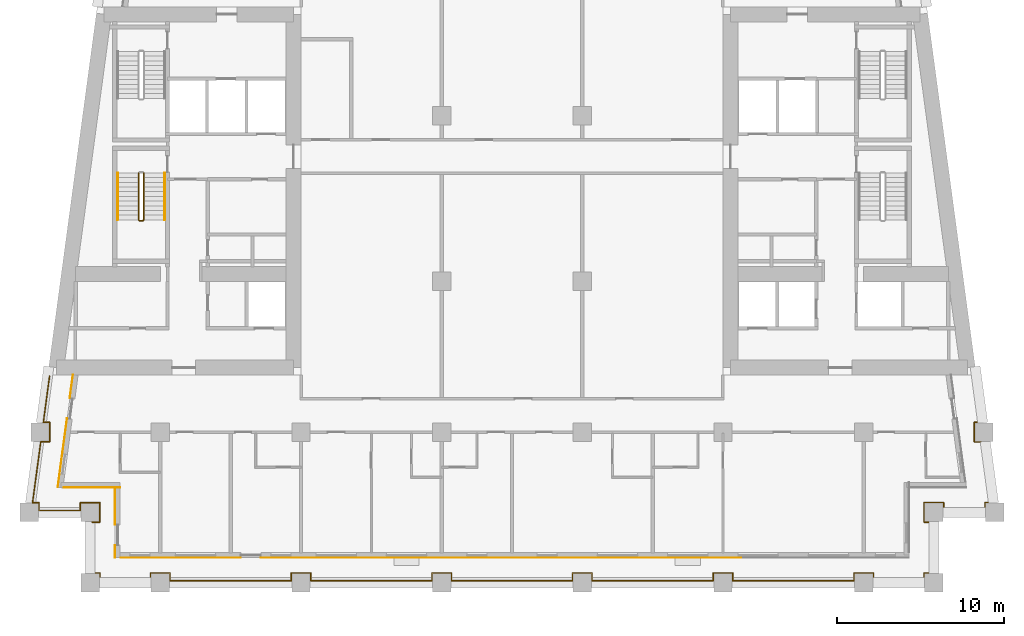
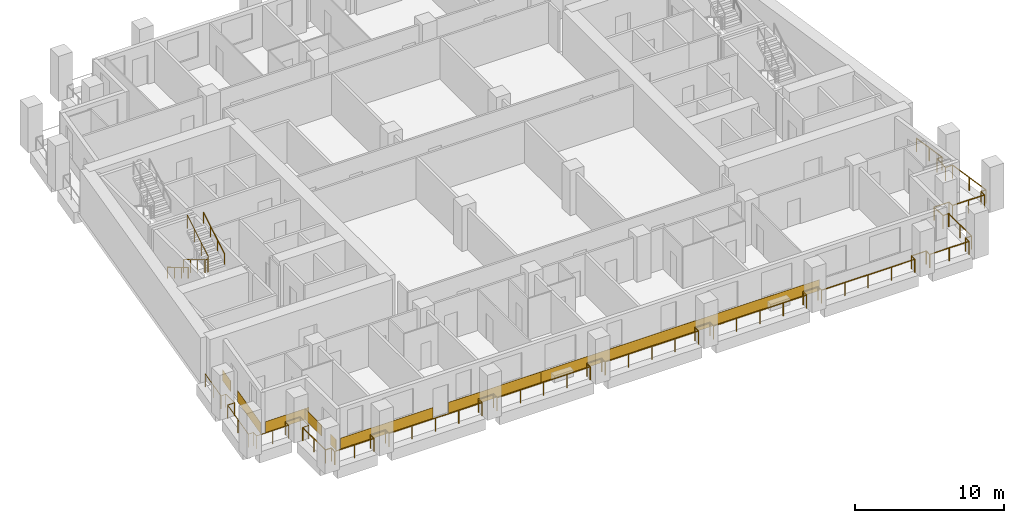
# One storey, part 8 of 12: 8 coverings, 5 railings.
"""IFC4 building model written with IfcOpenShell, lengths in metres."""

from ifc_helpers import new_model, si_unit, direction, frame, origin, origin_2d, place, context, subcontext, project, spatial, rectangle, circle, extrude, material, layer, layer_set, type_object, element, save


model = new_model("IFC4")

# Units and contexts
model_context = context("Model", 3, precision=1e-05, world=origin(), true_north=direction((0.0, 1.0)))
body_context = subcontext(model_context, "Body", "Model", "MODEL_VIEW")
ifc_project = project(units=[si_unit("LENGTHUNIT", "METRE"), si_unit("AREAUNIT", "SQUARE_METRE"), si_unit("VOLUMEUNIT", "CUBIC_METRE"), si_unit("PLANEANGLEUNIT", "RADIAN"), si_unit("MASSUNIT", "GRAM", prefix="KILO")], contexts=[model_context])

# Site, building, storey
site_placement = place(None, origin())
site = spatial("IfcSite", under=ifc_project, at=site_placement, CompositionType="ELEMENT")
building_placement = place(site_placement, origin())
building = spatial("IfcBuilding", under=site, at=building_placement, Name="Candeia Pilgrim Tower and Theatre", CompositionType="ELEMENT")
storey_placement = place(building_placement, frame((0.0, 0.0, 166.300048828125)))
storey = spatial("IfcBuildingStorey", under=building, at=storey_placement, Name="L39", CompositionType="ELEMENT", Elevation=166.300048828125)

# Railings
ifc_material_1 = material(Name="Stainless steel balustrade", Category="steel")
railing_type_1 = type_object("IfcRailingType", Name="G1 loggia guard 1100", PredefinedType="GUARDRAIL", material=ifc_material_1)
railing_1_placement = place(storey_placement, frame((88.320068359375, 101.6201171875, 0.0)))
element("IfcRailing", 1, at=railing_1_placement, inside=storey, type_object=railing_type_1, Name="Guard L39.1", PredefinedType="GUARDRAIL", context=body_context, shape_type="SweptSolid", body=[
    extrude(circle(Radius=0.02392578125, at=origin_2d()), frame((0.0, 0.0, 1.076171875), z_axis=(1.0, 0.0, 0.0), x_axis=(0.0, 1.0, 0.0)), (0.0, 0.0, 1.0), 0.4599609375),
    extrude(circle(Radius=0.02392578125, at=origin_2d()), frame((0.4599609375, 0.0, 1.076171875), z_axis=(0.0, 1.0, 0.0), x_axis=(-1.0, 0.0, 0.0)), (0.0, 0.0, 1.0), 1.159912109375),
    extrude(circle(Radius=0.02392578125, at=origin_2d()), frame((0.4599609375, 1.159912109375, 1.076171875), z_axis=(-1.0, 0.0, 0.0), x_axis=(0.0, -1.0, 0.0)), (0.0, 0.0, 1.0), 1.159912109375),
    extrude(circle(Radius=0.02392578125, at=origin_2d()), frame((-0.699951171875, 1.159912109375, 1.076171875), z_axis=(0.0, -1.0, 0.0), x_axis=(1.0, 0.0, 0.0)), (0.0, 0.0, 1.0), 0.4599609375),
    extrude(circle(Radius=0.02392578125, at=origin_2d()), frame((-0.699951171875, 0.699951171875, 1.076171875), z_axis=(-1.0, 0.0, 0.0), x_axis=(0.0, -1.0, 0.0)), (0.0, 0.0, 1.0), 2.474853515625),
    extrude(circle(Radius=0.02392578125, at=origin_2d()), frame((-3.1748046875, 0.699951171875, 1.076171875), z_axis=(0.0, 1.0, 0.0), x_axis=(-1.0, 0.0, 0.0)), (0.0, 0.0, 1.0), 0.4599609375),
    extrude(circle(Radius=0.02392578125, at=origin_2d()), frame((-3.1748046875, 1.159912109375, 1.076171875), z_axis=(-1.0, 0.0, 0.0), x_axis=(0.0, -1.0, 0.0)), (0.0, 0.0, 1.0), 0.380615234375),
    extrude(circle(Radius=0.02392578125, at=origin_2d()), frame((-3.555419921875, 1.159912109375, 1.076171875), z_axis=(0.133413267734, 0.9910604926, 0.0), x_axis=(-0.9910604926, 0.133413267734, 0.0)), (0.0, 0.0, 1.0), 3.672607421875),
    extrude(circle(Radius=0.02392578125, at=origin_2d()), frame((-3.0654296875, 4.7998046875, 1.076171875), z_axis=(1.0, 0.0, 0.0), x_axis=(0.0, 1.0, 0.0)), (0.0, 0.0, 1.0), 0.536865234375),
    extrude(circle(Radius=0.02392578125, at=origin_2d()), frame((-2.528564453125, 4.7998046875, 1.076171875), z_axis=(0.0, 1.0, 0.0), x_axis=(-1.0, 0.0, 0.0)), (0.0, 0.0, 1.0), 1.16015625),
    extrude(circle(Radius=0.02392578125, at=origin_2d()), frame((-2.528564453125, 5.9599609375, 1.076171875), z_axis=(-1.0, 0.0, 0.0), x_axis=(0.0, -1.0, 0.0)), (0.0, 0.0, 1.0), 0.380859375),
    extrude(circle(Radius=0.02392578125, at=origin_2d()), frame((-2.909423828125, 5.9599609375, 1.076171875), z_axis=(0.133468107709, 0.99105310868, 0.0), x_axis=(-0.99105310868, 0.133468107709, 0.0)), (0.0, 0.0, 1.0), 2.794921875),
    extrude(circle(Radius=0.02099609375, at=origin_2d()), origin(), (0.0, 0.0, 1.0), 1.052001953125),
    extrude(circle(Radius=0.02099609375, at=origin_2d()), frame((0.4599609375, 0.0, 0.0)), (0.0, 0.0, 1.0), 1.052001953125),
    extrude(circle(Radius=0.02099609375, at=origin_2d()), frame((0.4599609375, 1.159912109375, 0.0)), (0.0, 0.0, 1.0), 1.052001953125),
    extrude(circle(Radius=0.02099609375, at=origin_2d()), frame((-0.699951171875, 1.159912109375, 0.0)), (0.0, 0.0, 1.0), 1.052001953125),
    extrude(circle(Radius=0.02099609375, at=origin_2d()), frame((-0.699951171875, 0.699951171875, 0.0)), (0.0, 0.0, 1.0), 1.052001953125),
    extrude(circle(Radius=0.02099609375, at=origin_2d()), frame((-1.9375, 0.699951171875, 0.0)), (0.0, 0.0, 1.0), 1.052001953125),
    extrude(circle(Radius=0.02099609375, at=origin_2d()), frame((-3.1748046875, 0.699951171875, 0.0)), (0.0, 0.0, 1.0), 1.052001953125),
    extrude(circle(Radius=0.02099609375, at=origin_2d()), frame((-3.1748046875, 1.159912109375, 0.0)), (0.0, 0.0, 1.0), 1.052001953125),
    extrude(circle(Radius=0.02099609375, at=origin_2d()), frame((-3.555419921875, 1.159912109375, 0.0)), (0.0, 0.0, 1.0), 1.052001953125),
    extrude(circle(Radius=0.02099609375, at=origin_2d()), frame((-3.310546875, 2.97998046875, 0.0)), (0.0, 0.0, 1.0), 1.052001953125),
    extrude(circle(Radius=0.02099609375, at=origin_2d()), frame((-3.0654296875, 4.7998046875, 0.0)), (0.0, 0.0, 1.0), 1.052001953125),
    extrude(circle(Radius=0.02099609375, at=origin_2d()), frame((-2.528564453125, 4.7998046875, 0.0)), (0.0, 0.0, 1.0), 1.052001953125),
    extrude(circle(Radius=0.02099609375, at=origin_2d()), frame((-2.528564453125, 5.9599609375, 0.0)), (0.0, 0.0, 1.0), 1.052001953125),
    extrude(circle(Radius=0.02099609375, at=origin_2d()), frame((-2.909423828125, 5.9599609375, 0.0)), (0.0, 0.0, 1.0), 1.052001953125),
    extrude(circle(Radius=0.02099609375, at=origin_2d()), frame((-2.722900390625, 7.344970703125, 0.0)), (0.0, 0.0, 1.0), 1.052001953125),
    extrude(circle(Radius=0.02099609375, at=origin_2d()), frame((-2.536376953125, 8.72998046875, 0.0)), (0.0, 0.0, 1.0), 1.052001953125),
])
railing_2_placement = place(storey_placement, frame((141.016357421875, 110.35009765625, 0.0)))
element("IfcRailing", 2, at=railing_2_placement, inside=storey, type_object=railing_type_1, Name="Guard L39.4", PredefinedType="GUARDRAIL", context=body_context, shape_type="SweptSolid", body=[
    extrude(circle(Radius=0.02392578125, at=origin_2d()), frame((0.0, 0.0, 1.076171875), z_axis=(0.133468107709, -0.99105310868, 0.0), x_axis=(0.99105310868, 0.133468107709, 0.0)), (0.0, 0.0, 1.0), 2.794921875),
    extrude(circle(Radius=0.02392578125, at=origin_2d()), frame((0.373046875, -2.77001953125, 1.076171875), z_axis=(-1.0, 0.0, 0.0), x_axis=(0.0, -1.0, 0.0)), (0.0, 0.0, 1.0), 0.380859375),
    extrude(circle(Radius=0.02392578125, at=origin_2d()), frame((-0.0078125, -2.77001953125, 1.076171875), z_axis=(0.0, -1.0, 0.0), x_axis=(1.0, 0.0, 0.0)), (0.0, 0.0, 1.0), 1.16015625),
    extrude(circle(Radius=0.02392578125, at=origin_2d()), frame((-0.0078125, -3.93017578125, 1.076171875), z_axis=(1.0, 0.0, 0.0), x_axis=(0.0, 1.0, 0.0)), (0.0, 0.0, 1.0), 0.536865234375),
    extrude(circle(Radius=0.02392578125, at=origin_2d()), frame((0.529052734375, -3.93017578125, 1.076171875), z_axis=(0.133413267734, -0.9910604926, 0.0), x_axis=(0.9910604926, 0.133413267734, 0.0)), (0.0, 0.0, 1.0), 3.672607421875),
    extrude(circle(Radius=0.02392578125, at=origin_2d()), frame((1.01904296875, -7.570068359375, 1.076171875), z_axis=(-1.0, 0.0, 0.0), x_axis=(0.0, -1.0, 0.0)), (0.0, 0.0, 1.0), 0.380859375),
    extrude(circle(Radius=0.02392578125, at=origin_2d()), frame((0.63818359375, -7.570068359375, 1.076171875), z_axis=(0.0, -1.0, 0.0), x_axis=(1.0, 0.0, 0.0)), (0.0, 0.0, 1.0), 0.4599609375),
    extrude(circle(Radius=0.02392578125, at=origin_2d()), frame((0.63818359375, -8.030029296875, 1.076171875), z_axis=(-1.0, 0.0, 0.0), x_axis=(0.0, -1.0, 0.0)), (0.0, 0.0, 1.0), 2.474609375),
    extrude(circle(Radius=0.02392578125, at=origin_2d()), frame((-1.83642578125, -8.030029296875, 1.076171875), z_axis=(0.0, 1.0, 0.0), x_axis=(-1.0, 0.0, 0.0)), (0.0, 0.0, 1.0), 0.4599609375),
    extrude(circle(Radius=0.02392578125, at=origin_2d()), frame((-1.83642578125, -7.570068359375, 1.076171875), z_axis=(-1.0, 0.0, 0.0), x_axis=(0.0, -1.0, 0.0)), (0.0, 0.0, 1.0), 1.159912109375),
    extrude(circle(Radius=0.02392578125, at=origin_2d()), frame((-2.996337890625, -7.570068359375, 1.076171875), z_axis=(0.0, -1.0, 0.0), x_axis=(1.0, 0.0, 0.0)), (0.0, 0.0, 1.0), 1.159912109375),
    extrude(circle(Radius=0.02392578125, at=origin_2d()), frame((-2.996337890625, -8.72998046875, 1.076171875), z_axis=(1.0, 0.0, 0.0), x_axis=(0.0, 1.0, 0.0)), (0.0, 0.0, 1.0), 0.4599609375),
    extrude(circle(Radius=0.02392578125, at=origin_2d()), frame((-2.536376953125, -8.72998046875, 1.076171875), z_axis=(0.0, -1.0, 0.0), x_axis=(1.0, 0.0, 0.0)), (0.0, 0.0, 1.0), 3.0400390625),
    extrude(circle(Radius=0.02392578125, at=origin_2d()), frame((-2.536376953125, -11.77001953125, 1.076171875), z_axis=(-1.0, 0.0, 0.0), x_axis=(0.0, -1.0, 0.0)), (0.0, 0.0, 1.0), 0.4599609375),
    extrude(circle(Radius=0.02392578125, at=origin_2d()), frame((-2.996337890625, -11.77001953125, 1.076171875), z_axis=(0.0, -1.0, 0.0), x_axis=(1.0, 0.0, 0.0)), (0.0, 0.0, 1.0), 0.4599609375),
    extrude(circle(Radius=0.02392578125, at=origin_2d()), frame((-2.996337890625, -12.22998046875, 1.076171875), z_axis=(-1.0, 0.0, 0.0), x_axis=(0.0, -1.0, 0.0)), (0.0, 0.0, 1.0), 3.0400390625),
    extrude(circle(Radius=0.02392578125, at=origin_2d()), frame((-6.036376953125, -12.22998046875, 1.076171875), z_axis=(0.0, 1.0, 0.0), x_axis=(-1.0, 0.0, 0.0)), (0.0, 0.0, 1.0), 0.4599609375),
    extrude(circle(Radius=0.02392578125, at=origin_2d()), frame((-6.036376953125, -11.77001953125, 1.076171875), z_axis=(-1.0, 0.0, 0.0), x_axis=(0.0, -1.0, 0.0)), (0.0, 0.0, 1.0), 1.159912109375),
    extrude(circle(Radius=0.02392578125, at=origin_2d()), frame((-7.1962890625, -11.77001953125, 1.076171875), z_axis=(0.0, -1.0, 0.0), x_axis=(1.0, 0.0, 0.0)), (0.0, 0.0, 1.0), 0.4599609375),
    extrude(circle(Radius=0.02392578125, at=origin_2d()), frame((-7.1962890625, -12.22998046875, 1.076171875), z_axis=(-1.0, 0.0, 0.0), x_axis=(0.0, -1.0, 0.0)), (0.0, 0.0, 1.0), 7.239990234375),
    extrude(circle(Radius=0.02392578125, at=origin_2d()), frame((-14.436279296875, -12.22998046875, 1.076171875), z_axis=(0.0, 1.0, 0.0), x_axis=(-1.0, 0.0, 0.0)), (0.0, 0.0, 1.0), 0.4599609375),
    extrude(circle(Radius=0.02392578125, at=origin_2d()), frame((-14.436279296875, -11.77001953125, 1.076171875), z_axis=(-1.0, 0.0, 0.0), x_axis=(0.0, -1.0, 0.0)), (0.0, 0.0, 1.0), 1.16015625),
    extrude(circle(Radius=0.02392578125, at=origin_2d()), frame((-15.596435546875, -11.77001953125, 1.076171875), z_axis=(0.0, -1.0, 0.0), x_axis=(1.0, 0.0, 0.0)), (0.0, 0.0, 1.0), 0.4599609375),
    extrude(circle(Radius=0.02392578125, at=origin_2d()), frame((-15.596435546875, -12.22998046875, 1.076171875), z_axis=(-1.0, 0.0, 0.0), x_axis=(0.0, -1.0, 0.0)), (0.0, 0.0, 1.0), 7.239990234375),
    extrude(circle(Radius=0.02392578125, at=origin_2d()), frame((-22.83642578125, -12.22998046875, 1.076171875), z_axis=(0.0, 1.0, 0.0), x_axis=(-1.0, 0.0, 0.0)), (0.0, 0.0, 1.0), 0.4599609375),
    extrude(circle(Radius=0.02392578125, at=origin_2d()), frame((-22.83642578125, -11.77001953125, 1.076171875), z_axis=(-1.0, 0.0, 0.0), x_axis=(0.0, -1.0, 0.0)), (0.0, 0.0, 1.0), 1.159912109375),
    extrude(circle(Radius=0.02392578125, at=origin_2d()), frame((-23.996337890625, -11.77001953125, 1.076171875), z_axis=(0.0, -1.0, 0.0), x_axis=(1.0, 0.0, 0.0)), (0.0, 0.0, 1.0), 0.4599609375),
    extrude(circle(Radius=0.02392578125, at=origin_2d()), frame((-23.996337890625, -12.22998046875, 1.076171875), z_axis=(-1.0, 0.0, 0.0), x_axis=(0.0, -1.0, 0.0)), (0.0, 0.0, 1.0), 7.239990234375),
    extrude(circle(Radius=0.02392578125, at=origin_2d()), frame((-31.236328125, -12.22998046875, 1.076171875), z_axis=(0.0, 1.0, 0.0), x_axis=(-1.0, 0.0, 0.0)), (0.0, 0.0, 1.0), 0.4599609375),
    extrude(circle(Radius=0.02392578125, at=origin_2d()), frame((-31.236328125, -11.77001953125, 1.076171875), z_axis=(-1.0, 0.0, 0.0), x_axis=(0.0, -1.0, 0.0)), (0.0, 0.0, 1.0), 1.159912109375),
    extrude(circle(Radius=0.02392578125, at=origin_2d()), frame((-32.396240234375, -11.77001953125, 1.076171875), z_axis=(0.0, -1.0, 0.0), x_axis=(1.0, 0.0, 0.0)), (0.0, 0.0, 1.0), 0.4599609375),
    extrude(circle(Radius=0.02392578125, at=origin_2d()), frame((-32.396240234375, -12.22998046875, 1.076171875), z_axis=(-1.0, 0.0, 0.0), x_axis=(0.0, -1.0, 0.0)), (0.0, 0.0, 1.0), 7.240234375),
    extrude(circle(Radius=0.02392578125, at=origin_2d()), frame((-39.636474609375, -12.22998046875, 1.076171875), z_axis=(0.0, 1.0, 0.0), x_axis=(-1.0, 0.0, 0.0)), (0.0, 0.0, 1.0), 0.4599609375),
    extrude(circle(Radius=0.02392578125, at=origin_2d()), frame((-39.636474609375, -11.77001953125, 1.076171875), z_axis=(-1.0, 0.0, 0.0), x_axis=(0.0, -1.0, 0.0)), (0.0, 0.0, 1.0), 1.159912109375),
    extrude(circle(Radius=0.02392578125, at=origin_2d()), frame((-40.79638671875, -11.77001953125, 1.076171875), z_axis=(0.0, -1.0, 0.0), x_axis=(1.0, 0.0, 0.0)), (0.0, 0.0, 1.0), 0.4599609375),
    extrude(circle(Radius=0.02392578125, at=origin_2d()), frame((-40.79638671875, -12.22998046875, 1.076171875), z_axis=(-1.0, 0.0, 0.0), x_axis=(0.0, -1.0, 0.0)), (0.0, 0.0, 1.0), 7.239990234375),
    extrude(circle(Radius=0.02392578125, at=origin_2d()), frame((-48.036376953125, -12.22998046875, 1.076171875), z_axis=(0.0, 1.0, 0.0), x_axis=(-1.0, 0.0, 0.0)), (0.0, 0.0, 1.0), 0.4599609375),
    extrude(circle(Radius=0.02392578125, at=origin_2d()), frame((-48.036376953125, -11.77001953125, 1.076171875), z_axis=(-1.0, 0.0, 0.0), x_axis=(0.0, -1.0, 0.0)), (0.0, 0.0, 1.0), 1.159912109375),
    extrude(circle(Radius=0.02392578125, at=origin_2d()), frame((-49.1962890625, -11.77001953125, 1.076171875), z_axis=(0.0, -1.0, 0.0), x_axis=(1.0, 0.0, 0.0)), (0.0, 0.0, 1.0), 0.4599609375),
    extrude(circle(Radius=0.02392578125, at=origin_2d()), frame((-49.1962890625, -12.22998046875, 1.076171875), z_axis=(-1.0, 0.0, 0.0), x_axis=(0.0, -1.0, 0.0)), (0.0, 0.0, 1.0), 3.0400390625),
    extrude(circle(Radius=0.02392578125, at=origin_2d()), frame((-52.236328125, -12.22998046875, 1.076171875), z_axis=(0.0, 1.0, 0.0), x_axis=(-1.0, 0.0, 0.0)), (0.0, 0.0, 1.0), 0.4599609375),
    extrude(circle(Radius=0.02392578125, at=origin_2d()), frame((-52.236328125, -11.77001953125, 1.076171875), z_axis=(-1.0, 0.0, 0.0), x_axis=(0.0, -1.0, 0.0)), (0.0, 0.0, 1.0), 0.4599609375),
    extrude(circle(Radius=0.02392578125, at=origin_2d()), frame((-52.6962890625, -11.77001953125, 1.076171875), z_axis=(0.0, 1.0, 0.0), x_axis=(-1.0, 0.0, 0.0)), (0.0, 0.0, 1.0), 3.0400390625),
    extrude(circle(Radius=0.02099609375, at=origin_2d()), origin(), (0.0, 0.0, 1.0), 1.052001953125),
    extrude(circle(Radius=0.02099609375, at=origin_2d()), frame((0.1865234375, -1.385009765625, 0.0)), (0.0, 0.0, 1.0), 1.052001953125),
    extrude(circle(Radius=0.02099609375, at=origin_2d()), frame((0.373046875, -2.77001953125, 0.0)), (0.0, 0.0, 1.0), 1.052001953125),
    extrude(circle(Radius=0.02099609375, at=origin_2d()), frame((-0.0078125, -2.77001953125, 0.0)), (0.0, 0.0, 1.0), 1.052001953125),
    extrude(circle(Radius=0.02099609375, at=origin_2d()), frame((-0.0078125, -3.93017578125, 0.0)), (0.0, 0.0, 1.0), 1.052001953125),
    extrude(circle(Radius=0.02099609375, at=origin_2d()), frame((0.529052734375, -3.93017578125, 0.0)), (0.0, 0.0, 1.0), 1.052001953125),
    extrude(circle(Radius=0.02099609375, at=origin_2d()), frame((0.77392578125, -5.75, 0.0)), (0.0, 0.0, 1.0), 1.052001953125),
    extrude(circle(Radius=0.02099609375, at=origin_2d()), frame((1.01904296875, -7.570068359375, 0.0)), (0.0, 0.0, 1.0), 1.052001953125),
    extrude(circle(Radius=0.02099609375, at=origin_2d()), frame((0.63818359375, -7.570068359375, 0.0)), (0.0, 0.0, 1.0), 1.052001953125),
    extrude(circle(Radius=0.02099609375, at=origin_2d()), frame((0.63818359375, -8.030029296875, 0.0)), (0.0, 0.0, 1.0), 1.052001953125),
    extrude(circle(Radius=0.02099609375, at=origin_2d()), frame((-0.59912109375, -8.030029296875, 0.0)), (0.0, 0.0, 1.0), 1.052001953125),
    extrude(circle(Radius=0.02099609375, at=origin_2d()), frame((-1.83642578125, -8.030029296875, 0.0)), (0.0, 0.0, 1.0), 1.052001953125),
    extrude(circle(Radius=0.02099609375, at=origin_2d()), frame((-1.83642578125, -7.570068359375, 0.0)), (0.0, 0.0, 1.0), 1.052001953125),
    extrude(circle(Radius=0.02099609375, at=origin_2d()), frame((-2.996337890625, -7.570068359375, 0.0)), (0.0, 0.0, 1.0), 1.052001953125),
    extrude(circle(Radius=0.02099609375, at=origin_2d()), frame((-2.996337890625, -8.72998046875, 0.0)), (0.0, 0.0, 1.0), 1.052001953125),
    extrude(circle(Radius=0.02099609375, at=origin_2d()), frame((-2.536376953125, -8.72998046875, 0.0)), (0.0, 0.0, 1.0), 1.052001953125),
    extrude(circle(Radius=0.02099609375, at=origin_2d()), frame((-2.536376953125, -10.25, 0.0)), (0.0, 0.0, 1.0), 1.052001953125),
    extrude(circle(Radius=0.02099609375, at=origin_2d()), frame((-2.536376953125, -11.77001953125, 0.0)), (0.0, 0.0, 1.0), 1.052001953125),
    extrude(circle(Radius=0.02099609375, at=origin_2d()), frame((-2.996337890625, -11.77001953125, 0.0)), (0.0, 0.0, 1.0), 1.052001953125),
    extrude(circle(Radius=0.02099609375, at=origin_2d()), frame((-2.996337890625, -12.22998046875, 0.0)), (0.0, 0.0, 1.0), 1.052001953125),
    extrude(circle(Radius=0.02099609375, at=origin_2d()), frame((-4.516357421875, -12.22998046875, 0.0)), (0.0, 0.0, 1.0), 1.052001953125),
    extrude(circle(Radius=0.02099609375, at=origin_2d()), frame((-6.036376953125, -12.22998046875, 0.0)), (0.0, 0.0, 1.0), 1.052001953125),
    extrude(circle(Radius=0.02099609375, at=origin_2d()), frame((-6.036376953125, -11.77001953125, 0.0)), (0.0, 0.0, 1.0), 1.052001953125),
    extrude(circle(Radius=0.02099609375, at=origin_2d()), frame((-7.1962890625, -11.77001953125, 0.0)), (0.0, 0.0, 1.0), 1.052001953125),
    extrude(circle(Radius=0.02099609375, at=origin_2d()), frame((-7.1962890625, -12.22998046875, 0.0)), (0.0, 0.0, 1.0), 1.052001953125),
    extrude(circle(Radius=0.02099609375, at=origin_2d()), frame((-9.00634765625, -12.22998046875, 0.0)), (0.0, 0.0, 1.0), 1.052001953125),
    extrude(circle(Radius=0.02099609375, at=origin_2d()), frame((-10.81640625, -12.22998046875, 0.0)), (0.0, 0.0, 1.0), 1.052001953125),
    extrude(circle(Radius=0.02099609375, at=origin_2d()), frame((-12.626220703125, -12.22998046875, 0.0)), (0.0, 0.0, 1.0), 1.052001953125),
    extrude(circle(Radius=0.02099609375, at=origin_2d()), frame((-14.436279296875, -12.22998046875, 0.0)), (0.0, 0.0, 1.0), 1.052001953125),
    extrude(circle(Radius=0.02099609375, at=origin_2d()), frame((-14.436279296875, -11.77001953125, 0.0)), (0.0, 0.0, 1.0), 1.052001953125),
    extrude(circle(Radius=0.02099609375, at=origin_2d()), frame((-15.596435546875, -11.77001953125, 0.0)), (0.0, 0.0, 1.0), 1.052001953125),
    extrude(circle(Radius=0.02099609375, at=origin_2d()), frame((-15.596435546875, -12.22998046875, 0.0)), (0.0, 0.0, 1.0), 1.052001953125),
    extrude(circle(Radius=0.02099609375, at=origin_2d()), frame((-17.406494140625, -12.22998046875, 0.0)), (0.0, 0.0, 1.0), 1.052001953125),
    extrude(circle(Radius=0.02099609375, at=origin_2d()), frame((-19.21630859375, -12.22998046875, 0.0)), (0.0, 0.0, 1.0), 1.052001953125),
    extrude(circle(Radius=0.02099609375, at=origin_2d()), frame((-21.0263671875, -12.22998046875, 0.0)), (0.0, 0.0, 1.0), 1.052001953125),
    extrude(circle(Radius=0.02099609375, at=origin_2d()), frame((-22.83642578125, -12.22998046875, 0.0)), (0.0, 0.0, 1.0), 1.052001953125),
    extrude(circle(Radius=0.02099609375, at=origin_2d()), frame((-22.83642578125, -11.77001953125, 0.0)), (0.0, 0.0, 1.0), 1.052001953125),
    extrude(circle(Radius=0.02099609375, at=origin_2d()), frame((-23.996337890625, -11.77001953125, 0.0)), (0.0, 0.0, 1.0), 1.052001953125),
    extrude(circle(Radius=0.02099609375, at=origin_2d()), frame((-23.996337890625, -12.22998046875, 0.0)), (0.0, 0.0, 1.0), 1.052001953125),
    extrude(circle(Radius=0.02099609375, at=origin_2d()), frame((-25.806396484375, -12.22998046875, 0.0)), (0.0, 0.0, 1.0), 1.052001953125),
    extrude(circle(Radius=0.02099609375, at=origin_2d()), frame((-27.6162109375, -12.22998046875, 0.0)), (0.0, 0.0, 1.0), 1.052001953125),
    extrude(circle(Radius=0.02099609375, at=origin_2d()), frame((-29.42626953125, -12.22998046875, 0.0)), (0.0, 0.0, 1.0), 1.052001953125),
    extrude(circle(Radius=0.02099609375, at=origin_2d()), frame((-31.236328125, -12.22998046875, 0.0)), (0.0, 0.0, 1.0), 1.052001953125),
    extrude(circle(Radius=0.02099609375, at=origin_2d()), frame((-31.236328125, -11.77001953125, 0.0)), (0.0, 0.0, 1.0), 1.052001953125),
    extrude(circle(Radius=0.02099609375, at=origin_2d()), frame((-32.396240234375, -11.77001953125, 0.0)), (0.0, 0.0, 1.0), 1.052001953125),
    extrude(circle(Radius=0.02099609375, at=origin_2d()), frame((-32.396240234375, -12.22998046875, 0.0)), (0.0, 0.0, 1.0), 1.052001953125),
    extrude(circle(Radius=0.02099609375, at=origin_2d()), frame((-34.206298828125, -12.22998046875, 0.0)), (0.0, 0.0, 1.0), 1.052001953125),
    extrude(circle(Radius=0.02099609375, at=origin_2d()), frame((-36.016357421875, -12.22998046875, 0.0)), (0.0, 0.0, 1.0), 1.052001953125),
    extrude(circle(Radius=0.02099609375, at=origin_2d()), frame((-37.826416015625, -12.22998046875, 0.0)), (0.0, 0.0, 1.0), 1.052001953125),
    extrude(circle(Radius=0.02099609375, at=origin_2d()), frame((-39.636474609375, -12.22998046875, 0.0)), (0.0, 0.0, 1.0), 1.052001953125),
    extrude(circle(Radius=0.02099609375, at=origin_2d()), frame((-39.636474609375, -11.77001953125, 0.0)), (0.0, 0.0, 1.0), 1.052001953125),
    extrude(circle(Radius=0.02099609375, at=origin_2d()), frame((-40.79638671875, -11.77001953125, 0.0)), (0.0, 0.0, 1.0), 1.052001953125),
    extrude(circle(Radius=0.02099609375, at=origin_2d()), frame((-40.79638671875, -12.22998046875, 0.0)), (0.0, 0.0, 1.0), 1.052001953125),
    extrude(circle(Radius=0.02099609375, at=origin_2d()), frame((-42.6064453125, -12.22998046875, 0.0)), (0.0, 0.0, 1.0), 1.052001953125),
    extrude(circle(Radius=0.02099609375, at=origin_2d()), frame((-44.41650390625, -12.22998046875, 0.0)), (0.0, 0.0, 1.0), 1.052001953125),
    extrude(circle(Radius=0.02099609375, at=origin_2d()), frame((-46.226318359375, -12.22998046875, 0.0)), (0.0, 0.0, 1.0), 1.052001953125),
    extrude(circle(Radius=0.02099609375, at=origin_2d()), frame((-48.036376953125, -12.22998046875, 0.0)), (0.0, 0.0, 1.0), 1.052001953125),
    extrude(circle(Radius=0.02099609375, at=origin_2d()), frame((-48.036376953125, -11.77001953125, 0.0)), (0.0, 0.0, 1.0), 1.052001953125),
    extrude(circle(Radius=0.02099609375, at=origin_2d()), frame((-49.1962890625, -11.77001953125, 0.0)), (0.0, 0.0, 1.0), 1.052001953125),
    extrude(circle(Radius=0.02099609375, at=origin_2d()), frame((-49.1962890625, -12.22998046875, 0.0)), (0.0, 0.0, 1.0), 1.052001953125),
    extrude(circle(Radius=0.02099609375, at=origin_2d()), frame((-50.71630859375, -12.22998046875, 0.0)), (0.0, 0.0, 1.0), 1.052001953125),
    extrude(circle(Radius=0.02099609375, at=origin_2d()), frame((-52.236328125, -12.22998046875, 0.0)), (0.0, 0.0, 1.0), 1.052001953125),
    extrude(circle(Radius=0.02099609375, at=origin_2d()), frame((-52.236328125, -11.77001953125, 0.0)), (0.0, 0.0, 1.0), 1.052001953125),
    extrude(circle(Radius=0.02099609375, at=origin_2d()), frame((-52.6962890625, -11.77001953125, 0.0)), (0.0, 0.0, 1.0), 1.052001953125),
    extrude(circle(Radius=0.02099609375, at=origin_2d()), frame((-52.6962890625, -10.25, 0.0)), (0.0, 0.0, 1.0), 1.052001953125),
    extrude(circle(Radius=0.02099609375, at=origin_2d()), frame((-52.6962890625, -8.72998046875, 0.0)), (0.0, 0.0, 1.0), 1.052001953125),
])

# Coverings
ifc_material_2 = material(Name="Glazed ceramic tile red")
ifc_layer_1 = layer(ifc_material_2, 0.02001953125)
ifc_layer_set_1 = layer_set([ifc_layer_1], Name="Glazed ceramic tile red")
covering_type_1 = type_object("IfcCoveringType", Name="Glazed ceramic tile red", PredefinedType="CLADDING", material=ifc_layer_set_1)
covering_1_placement = place(storey_placement, frame((116.39990234375, 99.489990234375, 0.0), z_axis=(0.0, 0.0, 1.0), x_axis=(1.0, 0.0, 0.0)))
element("IfcCovering", 3, at=covering_1_placement, inside=storey, type_object=covering_type_1, Name="Tile cladding red L39", PredefinedType="CLADDING", context=body_context, shape_type="SweptSolid", body=[
    extrude(rectangle(XDim=21.60009765625, YDim=0.02001953125, at=origin_2d()), origin(), (0.0, 0.0, 1.0), 0.89990234375),
])
ifc_material_3 = material(Name="Glazed ceramic tile rust")
ifc_layer_2 = layer(ifc_material_3, 0.02001953125)
ifc_layer_set_2 = layer_set([ifc_layer_2], Name="Glazed ceramic tile rust")
covering_type_2 = type_object("IfcCoveringType", Name="Glazed ceramic tile rust", PredefinedType="CLADDING", material=ifc_layer_set_2)
covering_2_placement = place(storey_placement, frame((93.610107421875, 99.489990234375, 0.0), z_axis=(0.0, 0.0, 1.0), x_axis=(1.0, 0.0, 0.0)))
element("IfcCovering", 4, at=covering_2_placement, inside=storey, type_object=covering_type_2, Name="Tile cladding rust L39", PredefinedType="CLADDING", context=body_context, shape_type="SweptSolid", body=[
    extrude(rectangle(XDim=7.179931640625, YDim=0.02001953125, at=origin_2d()), origin(), (0.0, 0.0, 1.0), 0.89990234375),
])
covering_3_placement = place(storey_placement, frame((102.0, 99.489990234375, 0.0), z_axis=(0.0, 0.0, 1.0), x_axis=(1.0, 0.0, 0.0)))
element("IfcCovering", 5, at=covering_3_placement, inside=storey, type_object=covering_type_2, Name="Tile cladding rust L39", PredefinedType="CLADDING", context=body_context, shape_type="SweptSolid", body=[
    extrude(rectangle(XDim=7.199951171875, YDim=0.02001953125, at=origin_2d()), origin(), (0.0, 0.0, 1.0), 0.89990234375),
])
covering_4_placement = place(storey_placement, frame((87.0810546875, 109.71875, 0.0), z_axis=(0.0, 0.0, 1.0), x_axis=(-0.133412012145, -0.991060661622, 0.0)))
element("IfcCovering", 6, at=covering_4_placement, inside=storey, type_object=covering_type_2, Name="Tile cladding rust L39", PredefinedType="CLADDING", context=body_context, shape_type="SweptSolid", body=[
    extrude(rectangle(XDim=1.41796875, YDim=0.02001953125, at=origin_2d()), origin(), (0.0, 0.0, 1.0), 0.89990234375),
])
covering_5_placement = place(storey_placement, frame((86.548583984375, 105.763916015625, 0.0), z_axis=(0.0, 0.0, 1.0), x_axis=(-0.133412012145, -0.991060661622, 0.0)))
element("IfcCovering", 7, at=covering_5_placement, inside=storey, type_object=covering_type_2, Name="Tile cladding rust L39", PredefinedType="CLADDING", context=body_context, shape_type="SweptSolid", body=[
    extrude(rectangle(XDim=4.16259765625, YDim=0.02001953125, at=origin_2d()), origin(), (0.0, 0.0, 1.0), 0.89990234375),
])
covering_6_placement = place(storey_placement, frame((88.311279296875, 103.68994140625, 0.0), z_axis=(0.0, 0.0, 1.0), x_axis=(1.0, 0.0, 0.0)))
element("IfcCovering", 8, at=covering_6_placement, inside=storey, type_object=covering_type_2, Name="Tile cladding rust L39", PredefinedType="CLADDING", context=body_context, shape_type="SweptSolid", body=[
    extrude(rectangle(XDim=3.377685546875, YDim=0.02001953125, at=origin_2d()), origin(), (0.0, 0.0, 1.0), 0.89990234375),
])
covering_7_placement = place(storey_placement, frame((89.68994140625, 102.56494140625, 0.0), z_axis=(0.0, 0.0, 1.0), x_axis=(0.0, -1.0, 0.0)))
element("IfcCovering", 9, at=covering_7_placement, inside=storey, type_object=covering_type_2, Name="Tile cladding rust L39", PredefinedType="CLADDING", context=body_context, shape_type="SweptSolid", body=[
    extrude(rectangle(XDim=2.22998046875, YDim=0.02001953125, at=origin_2d()), origin(), (0.0, 0.0, 1.0), 0.89990234375),
])
covering_8_placement = place(storey_placement, frame((89.68994140625, 99.875, 0.0), z_axis=(0.0, 0.0, 1.0), x_axis=(0.0, -1.0, 0.0)))
element("IfcCovering", 10, at=covering_8_placement, inside=storey, type_object=covering_type_2, Name="Tile cladding rust L39", PredefinedType="CLADDING", context=body_context, shape_type="SweptSolid", body=[
    extrude(rectangle(XDim=0.75, YDim=0.02001953125, at=origin_2d()), origin(), (0.0, 0.0, 1.0), 0.89990234375),
])

# Railings
railing_type_2 = type_object("IfcRailingType", Name="RL-GUARD-1100", PredefinedType="GUARDRAIL", material=ifc_material_1)
railing_3_placement = place(storey_placement, frame((91.10205078125, 122.47509765625, 0.168212890625)))
element("IfcRailing", 11, at=railing_3_placement, inside=storey, type_object=railing_type_2, Name="L39 ST1 stair guard 1", PredefinedType="GUARDRAIL", context=body_context, shape_type="SweptSolid", body=[
    extrude(circle(Radius=0.02392578125, at=origin_2d()), frame((0.0, 0.0, 1.076171875), z_axis=(0.0, -0.857275202839, 0.514858452973), x_axis=(1.0, 0.0, 0.0)), (0.0, 0.0, 1.0), 3.26611328125),
    extrude(circle(Radius=0.02392578125, at=origin_2d()), frame((0.0, -2.800048828125, 2.7578125), z_axis=(0.707106781187, -0.707106781187, 0.0), x_axis=(0.707106781187, 0.707106781187, 0.0)), (0.0, 0.0, 1.0), 0.07080078125),
    extrude(circle(Radius=0.02392578125, at=origin_2d()), frame((0.050048828125, -2.85009765625, 2.7578125), z_axis=(1.0, 0.0, 0.0), x_axis=(0.0, 1.0, 0.0)), (0.0, 0.0, 1.0), 0.199951171875),
    extrude(circle(Radius=0.02392578125, at=origin_2d()), frame((0.25, -2.85009765625, 2.7578125), z_axis=(0.274243871929, 0.274243871929, 0.92172696468), x_axis=(-0.707106781187, 0.707106781187, 0.0)), (0.0, 0.0, 1.0), 0.1826171875),
    extrude(circle(Radius=0.02392578125, at=origin_2d()), frame((0.300048828125, -2.800048828125, 2.92578125), z_axis=(0.0, 0.857242210791, 0.514913383045), x_axis=(-1.0, 0.0, 0.0)), (0.0, 0.0, 1.0), 3.266357421875),
    extrude(circle(Radius=0.02099609375, at=origin_2d()), origin(), (0.0, 0.0, 1.0), 1.052001953125),
    extrude(circle(Radius=0.02099609375, at=origin_2d()), frame((0.0, -0.933349609375, 0.560546875)), (0.0, 0.0, 1.0), 1.052001953125),
    extrude(circle(Radius=0.02099609375, at=origin_2d()), frame((0.0, -1.86669921875, 1.12109375)), (0.0, 0.0, 1.0), 1.052001953125),
    extrude(circle(Radius=0.02099609375, at=origin_2d()), frame((0.0, -2.800048828125, 1.681640625)), (0.0, 0.0, 1.0), 1.052001953125),
    extrude(circle(Radius=0.02099609375, at=origin_2d()), frame((0.050048828125, -2.85009765625, 1.681640625)), (0.0, 0.0, 1.0), 1.052001953125),
    extrude(circle(Radius=0.02099609375, at=origin_2d()), frame((0.25, -2.85009765625, 1.681640625)), (0.0, 0.0, 1.0), 1.052001953125),
    extrude(circle(Radius=0.02099609375, at=origin_2d()), frame((0.300048828125, -2.800048828125, 1.849853515625)), (0.0, 0.0, 1.0), 1.052001953125),
    extrude(circle(Radius=0.02099609375, at=origin_2d()), frame((0.300048828125, -1.86669921875, 2.410400390625)), (0.0, 0.0, 1.0), 1.052001953125),
    extrude(circle(Radius=0.02099609375, at=origin_2d()), frame((0.300048828125, -0.933349609375, 2.97119140625)), (0.0, 0.0, 1.0), 1.052001953125),
    extrude(circle(Radius=0.02099609375, at=origin_2d()), frame((0.300048828125, 0.0, 3.53173828125)), (0.0, 0.0, 1.0), 1.052001953125),
])
ifc_material_4 = material(Name="Stainless steel handrail", Category="steel")
railing_type_3 = type_object("IfcRailingType", Name="RL-HANDRAIL-900", PredefinedType="HANDRAIL", material=ifc_material_4)
railing_4_placement = place(storey_placement, frame((89.85205078125, 122.47509765625, 0.168212890625)))
element("IfcRailing", 12, at=railing_4_placement, inside=storey, type_object=railing_type_3, Name="L39 ST1 stair handrail 1", PredefinedType="HANDRAIL", context=body_context, shape_type="SweptSolid", body=[
    extrude(circle(Radius=0.02392578125, at=origin_2d()), frame((0.0, 0.0, 0.8759765625), z_axis=(0.0, -0.857275202839, 0.514858452973), x_axis=(1.0, 0.0, 0.0)), (0.0, 0.0, 1.0), 3.26611328125),
    extrude(circle(Radius=0.02099609375, at=origin_2d()), origin(), (0.0, 0.0, 1.0), 0.851806640625),
    extrude(circle(Radius=0.02099609375, at=origin_2d()), frame((0.0, -0.933349609375, 0.560546875)), (0.0, 0.0, 1.0), 0.851806640625),
    extrude(circle(Radius=0.02099609375, at=origin_2d()), frame((0.0, -1.86669921875, 1.12109375)), (0.0, 0.0, 1.0), 0.851806640625),
    extrude(circle(Radius=0.02099609375, at=origin_2d()), frame((0.0, -2.800048828125, 1.681640625)), (0.0, 0.0, 1.0), 0.851806640625),
])
railing_5_placement = place(storey_placement, frame((92.652099609375, 119.675048828125, 2.01806640625)))
element("IfcRailing", 13, at=railing_5_placement, inside=storey, type_object=railing_type_3, Name="L39 ST1 stair handrail 2", PredefinedType="HANDRAIL", context=body_context, shape_type="SweptSolid", body=[
    extrude(circle(Radius=0.02392578125, at=origin_2d()), frame((0.0, 0.0, 0.8759765625), z_axis=(0.0, 0.857242210791, 0.514913383045), x_axis=(-1.0, 0.0, 0.0)), (0.0, 0.0, 1.0), 3.266357421875),
    extrude(circle(Radius=0.02099609375, at=origin_2d()), origin(), (0.0, 0.0, 1.0), 0.851806640625),
    extrude(circle(Radius=0.02099609375, at=origin_2d()), frame((0.0, 0.933349609375, 0.560546875)), (0.0, 0.0, 1.0), 0.851806640625),
    extrude(circle(Radius=0.02099609375, at=origin_2d()), frame((0.0, 1.86669921875, 1.121337890625)), (0.0, 0.0, 1.0), 0.851806640625),
    extrude(circle(Radius=0.02099609375, at=origin_2d()), frame((0.0, 2.800048828125, 1.681884765625)), (0.0, 0.0, 1.0), 0.851806640625),
])

save(model, "model.ifc")
